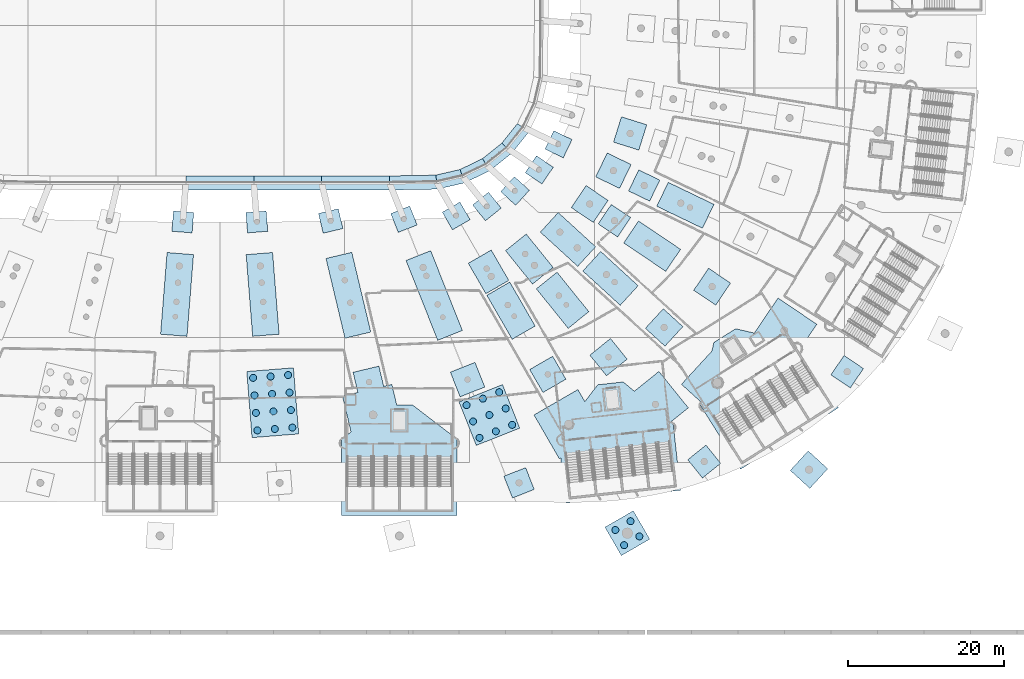
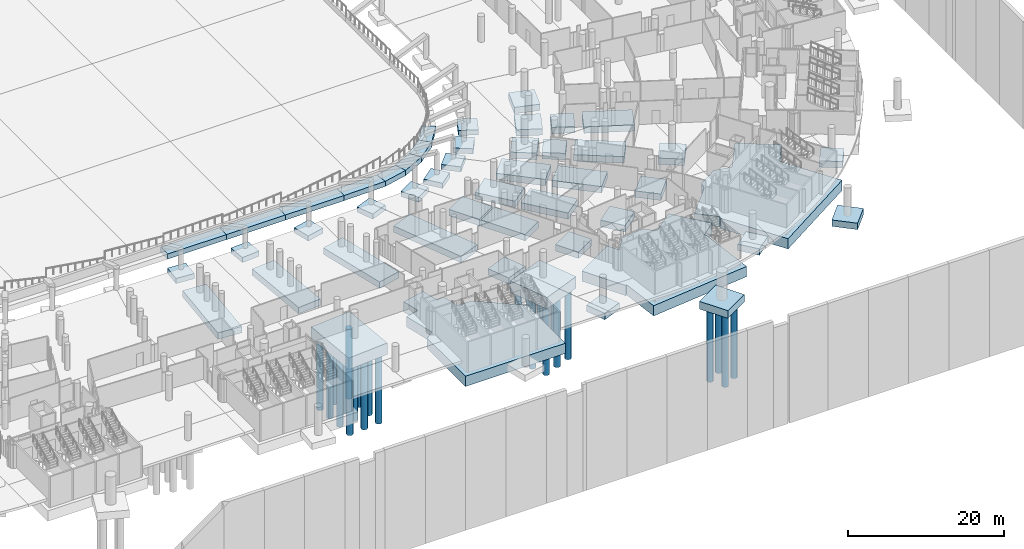
# One storey, part 3 of 142: 49 footings, 25 piles.
"""IFC4 building model written with IfcOpenShell, lengths in metres."""

import ifcopenshell
import ifcopenshell.guid

model = None  # the IFC model being written
_history = None  # IfcOwnerHistory: only IFC2X3 demands one
_inside = {}  # id of a spatial element -> (the spatial element, [elements in it])
_under = {}  # id of a project, library or spatial element -> (it, [spatial elements below it])
_declared = {}  # id of a project -> (the project, [libraries it declares])
_typed = {}  # id of a type object -> (the type object, [elements of that type])
_made_of = {}  # id of a material, layer set ... -> (it, [elements and type objects made of it])


def new_model(schema):
    """Start an empty IFC model of exactly this schema.

    Asked for "IFC4X3", IfcOpenShell would pick the latest addendum, in which some entities
    have other attributes; the version numbers below select the first issue.
    IFC2X3 requires an IfcOwnerHistory on every rooted entity: one is made here for all.
    """
    global model, _history
    if schema == "IFC4X3":
        model = ifcopenshell.file(schema_version=(4, 3, 0, 0))
    else:
        model = ifcopenshell.file(schema=schema)
    _inside.clear()
    _under.clear()
    _declared.clear()
    _typed.clear()
    _made_of.clear()
    _history = None
    if model.schema == "IFC2X3":
        org = make("IfcOrganization", Name="unknown")
        user = make(
            "IfcPersonAndOrganization",
            ThePerson=make("IfcPerson", FamilyName="unknown"),
            TheOrganization=org,
        )
        app = make(
            "IfcApplication",
            ApplicationDeveloper=org,
            Version="unknown",
            ApplicationFullName="unknown",
            ApplicationIdentifier="unknown",
        )
        _history = make(
            "IfcOwnerHistory",
            OwningUser=user,
            OwningApplication=app,
            ChangeAction="ADDED",
            CreationDate=0,
        )
    return model


def make(cls, **values):
    """One entity of the class cls with the attributes given. An attribute that is None is left unset."""
    return model.create_entity(
        cls, **{name: value for name, value in values.items() if value is not None}
    )


def rooted(cls, **values):
    """An entity with a GlobalId (a new one), such as an element, a storey or a relation."""
    return make(cls, GlobalId=ifcopenshell.guid.new(), OwnerHistory=_history, **values)


def si_unit(unit_type, name, prefix=None):
    """IfcSIUnit, for example si_unit("LENGTHUNIT", "METRE", prefix="MILLI")."""
    return make("IfcSIUnit", UnitType=unit_type, Prefix=prefix, Name=name)


def assignment(units):
    """IfcUnitAssignment: the units of a project."""
    return None if units is None else make("IfcUnitAssignment", Units=units)


def point(xyz):
    """IfcCartesianPoint."""
    return None if xyz is None else make("IfcCartesianPoint", Coordinates=xyz)


def direction(xyz):
    """IfcDirection."""
    return None if xyz is None else make("IfcDirection", DirectionRatios=xyz)


def frame(location, z_axis=None, x_axis=None):
    """IfcAxis2Placement3D, a coordinate frame: its origin and axes. An axis left out is left unset."""
    return make(
        "IfcAxis2Placement3D",
        Location=point(location),
        Axis=direction(z_axis),
        RefDirection=direction(x_axis),
    )


def frame_2d(location, x_axis=None):
    """IfcAxis2Placement2D, a coordinate frame in the plane: its origin and x axis."""
    return make(
        "IfcAxis2Placement2D", Location=point(location), RefDirection=direction(x_axis)
    )


def origin():
    """The frame at (0, 0, 0) with its axes left unset."""
    return frame((0.0, 0.0, 0.0))


def origin_2d():
    """The frame at (0, 0) in the plane with its x axis left unset."""
    return frame_2d((0.0, 0.0))


def place(relative_to, where):
    """IfcLocalPlacement: puts the frame where relative to a parent placement (None: the world)."""
    return make(
        "IfcLocalPlacement", PlacementRelTo=relative_to, RelativePlacement=where
    )


def context(
    kind, dimensions, precision=None, world=None, true_north=None, identifier=None
):
    """IfcGeometricRepresentationContext, for example the 3D "Model" context."""
    return make(
        "IfcGeometricRepresentationContext",
        ContextIdentifier=identifier,
        ContextType=kind,
        CoordinateSpaceDimension=dimensions,
        Precision=precision,
        WorldCoordinateSystem=world,
        TrueNorth=true_north,
    )


def subcontext(parent, identifier, kind, view, scale=None):
    """IfcGeometricRepresentationSubContext, for example "Body" below "Model"."""
    return make(
        "IfcGeometricRepresentationSubContext",
        ContextIdentifier=identifier,
        ContextType=kind,
        ParentContext=parent,
        TargetScale=scale,
        TargetView=view,
    )


def project(units=None, contexts=None):
    """IfcProject with its units and contexts."""
    return rooted(
        "IfcProject",
        Name="project",
        RepresentationContexts=contexts,
        UnitsInContext=assignment(units),
    )


def spatial(cls, under=None, at=None, **own):
    """A site, building, storey or space (cls), placed at a placement, below another one or the project."""
    s = rooted(cls, ObjectPlacement=at, **own)
    if under is not None:
        _under.setdefault(under.id(), (under, []))[1].append(s)
    return s


def polyline(points):
    """IfcPolyline through the points."""
    return make("IfcPolyline", Points=[point(p) for p in points])


def profile(cls, at=None, kind="AREA", **sizes):
    """A parametric profile (cls). Its sizes go by their IFC names, for example OverallWidth=200.0."""
    return make(cls, ProfileType=kind, Position=at, **sizes)


def circle(**sizes):
    """IfcCircleProfileDef."""
    return profile("IfcCircleProfileDef", **sizes)


def outline(outer, holes=None, kind="AREA"):
    """IfcArbitraryClosedProfileDef: a profile drawn as a closed curve; with holes, ...WithVoids."""
    if holes is None:
        return make("IfcArbitraryClosedProfileDef", ProfileType=kind, OuterCurve=outer)
    return make(
        "IfcArbitraryProfileDefWithVoids",
        ProfileType=kind,
        OuterCurve=outer,
        InnerCurves=holes,
    )


def extrude(swept, where, along, depth):
    """IfcExtrudedAreaSolid: the profile swept, set in the frame where, extruded along a direction by depth."""
    return make(
        "IfcExtrudedAreaSolid",
        SweptArea=swept,
        Position=where,
        ExtrudedDirection=direction(along),
        Depth=depth,
    )


def shape(context_of_items, identifier, shape_type, items):
    """IfcShapeRepresentation: the items that make up one representation, for example the "Body"."""
    return make(
        "IfcShapeRepresentation",
        ContextOfItems=context_of_items,
        RepresentationIdentifier=identifier,
        RepresentationType=shape_type,
        Items=items,
    )


def material(Name=None, Category=None):
    """IfcMaterial."""
    return make("IfcMaterial", Name=Name, Category=Category)


def material_profile(
    of_material, cross_section, Name=None, Category=None, Priority=None
):
    """IfcMaterialProfile: a cross section and its material."""
    return make(
        "IfcMaterialProfile",
        Name=Name,
        Material=of_material,
        Profile=cross_section,
        Priority=Priority,
        Category=Category,
    )


def profile_set(profiles, Name=None, composite=None):
    """IfcMaterialProfileSet."""
    return make(
        "IfcMaterialProfileSet",
        Name=Name,
        MaterialProfiles=profiles,
        CompositeProfile=composite,
    )


def made_of(thing, what):
    """Note that an element or type object is made of a material, layer set ...; save() writes the relation."""
    if what is not None:
        _made_of.setdefault(what.id(), (what, []))[1].append(thing)
    return thing


def type_object(cls, material=None, **own):
    """A type object (cls), such as IfcWallType, which elements share."""
    return made_of(rooted(cls, **own), material)


def element(
    cls,
    number,
    at=None,
    inside=None,
    cuts=None,
    type_object=None,
    material=None,
    context=None,
    identifier="Body",
    shape_type=None,
    held_by="IfcProductDefinitionShape",
    body=None,
    shapes=None,
    **own,
):
    """One element of the class cls, such as IfcWall. Its Tag is "e" and its number.

    at: its placement. inside: the storey or other place that contains it. cuts: it is an
    opening in that element (IfcRelVoidsElement). A single representation is given by context,
    identifier, shape_type and body (its items); several are given by shapes. held_by: the class
    of the entity that holds the representations. save() writes the other relations.
    """
    e = rooted(cls, Tag="e%d" % number, ObjectPlacement=at, **own)
    if body is not None:
        shapes = [shape(context, identifier, shape_type, body)]
    if shapes is not None:
        e.Representation = make(held_by, Representations=shapes)
    if inside is not None:
        _inside.setdefault(inside.id(), (inside, []))[1].append(e)
    if cuts is not None:
        rooted(
            "IfcRelVoidsElement", RelatingBuildingElement=cuts, RelatedOpeningElement=e
        )
    if type_object is not None:
        _typed.setdefault(type_object.id(), (type_object, []))[1].append(e)
    return made_of(e, material)


def aggregate(whole, parts):
    """IfcRelAggregates: a whole, such as a stair, and the parts it consists of."""
    return rooted("IfcRelAggregates", RelatingObject=whole, RelatedObjects=parts)


def save(model, path):
    """Write the relations noted so far, then the file.

    IfcRelAggregates (storeys below a building ...), IfcRelContainedInSpatialStructure (elements
    in a storey), IfcRelDefinesByType, IfcRelAssociatesMaterial and IfcRelDeclares: one each for
    every whole, place, type object, material and project.
    """
    for whole, parts in _under.values():
        aggregate(whole, parts)
    for where, things in _inside.values():
        rooted(
            "IfcRelContainedInSpatialStructure",
            RelatedElements=things,
            RelatingStructure=where,
        )
    for kind, things in _typed.values():
        rooted("IfcRelDefinesByType", RelatedObjects=things, RelatingType=kind)
    for what, things in _made_of.values():
        rooted("IfcRelAssociatesMaterial", RelatedObjects=things, RelatingMaterial=what)
    for by, libraries in _declared.values():
        rooted("IfcRelDeclares", RelatingContext=by, RelatedDefinitions=libraries)
    model.write(path)


model = new_model("IFC4")

# Units and contexts
model_context = context("Model", 3, precision=1e-05, world=origin(), true_north=direction((0.0, 1.0)))
body_context = subcontext(model_context, "Body", "Model", "MODEL_VIEW")
ifc_project = project(units=[si_unit("LENGTHUNIT", "METRE"), si_unit("AREAUNIT", "SQUARE_METRE"), si_unit("VOLUMEUNIT", "CUBIC_METRE"), si_unit("PLANEANGLEUNIT", "RADIAN"), si_unit("MASSUNIT", "GRAM", prefix="KILO")], contexts=[model_context])

# Site, building, storey
site_placement = place(None, origin())
site = spatial("IfcSite", under=ifc_project, at=site_placement, CompositionType="ELEMENT")
building_placement = place(site_placement, origin())
building = spatial("IfcBuilding", under=site, at=building_placement, Name="Meseta Stadium", CompositionType="ELEMENT")
storey_placement = place(building_placement, frame((0.0, 0.0, -4.0)))
storey = spatial("IfcBuildingStorey", under=building, at=storey_placement, Name="B1", CompositionType="ELEMENT", Elevation=-4.0)

# Piles
ifc_material_1 = material(Name="Concrete C30/37", Category="concrete")
ifc_material_profile_1 = material_profile(ifc_material_1, circle(Radius=0.449951171875, at=origin_2d()), Name="D900")
ifc_profile_set_1 = profile_set([ifc_material_profile_1], Name="Concrete C30/37")
pile_type_1 = type_object("IfcPileType", Name="Bored pile D900 A", PredefinedType="BORED", material=ifc_profile_set_1)
for number, where, z_axis, x_axis, name in (
    (1, (4.26708984375, -85.151123046875, -2.10009765625), (0.0, 0.0, -1.0), (1.0, 0.0, 0.0), "Bored pile BP9A 47-EP-01"),
    (2, (6.510009765625, -84.97314453125, -2.10009765625), (0.0, 0.0, -1.0), (1.0, 0.0, 0.0), "Bored pile BP9A 47-EP-02"),
    (3, (8.7529296875, -84.795166015625, -2.10009765625), (0.0, 0.0, -1.0), (1.0, 0.0, 0.0), "Bored pile BP9A 47-EP-03"),
    (4, (4.445068359375, -87.39404296875, -2.10009765625), (0.0, 0.0, -1.0), (1.0, 0.0, 0.0), "Bored pile BP9A 47-EP-04"),
    (5, (6.68798828125, -87.216064453125, -2.10009765625), (0.0, 0.0, -1.0), (1.0, 0.0, 0.0), "Bored pile BP9A 47-EP-05"),
    (6, (8.930908203125, -87.0380859375, -2.10009765625), (0.0, 0.0, -1.0), (1.0, 0.0, 0.0), "Bored pile BP9A 47-EP-06"),
    (7, (4.623046875, -89.63720703125, -2.10009765625), (0.0, 0.0, -1.0), (1.0, 0.0, 0.0), "Bored pile BP9A 47-EP-07"),
    (8, (6.8662109375, -89.458984375, -2.10009765625), (0.0, 0.0, -1.0), (1.0, 0.0, 0.0), "Bored pile BP9A 47-EP-08"),
    (9, (9.10888671875, -89.281005859375, -2.10009765625), (0.0, 0.0, -1.0), (1.0, 0.0, 0.0), "Bored pile BP9A 47-EP-09"),
    (10, (4.801025390625, -91.8798828125, -2.10009765625), (0.0, 0.0, -1.0), (1.0, 0.0, 0.0), "Bored pile BP9A 47-EP-10"),
    (11, (7.044189453125, -91.701904296875, -2.10009765625), (0.0, 0.0, -1.0), (1.0, 0.0, 0.0), "Bored pile BP9A 47-EP-11"),
    (12, (9.287109375, -91.52392578125, -2.10009765625), (0.0, 0.0, -1.0), (1.0, 0.0, 0.0), "Bored pile BP9A 47-EP-12"),
    (13, (31.609375, -88.650390625, -2.10009765625), (0.0, 0.0, -1.0), (1.0, 0.0, 0.0), "Bored pile BP9A 49-P-01"),
    (14, (33.70068359375, -87.820556640625, -2.10009765625), (0.0, 0.0, -1.0), (1.0, 0.0, 0.0), "Bored pile BP9A 49-P-02"),
    (15, (35.7919921875, -86.990478515625, -2.10009765625), (0.0, 0.0, -1.0), (1.0, 0.0, 0.0), "Bored pile BP9A 49-P-03"),
    (16, (32.439453125, -90.74169921875, -2.10009765625), (0.0, 0.0, -1.0), (1.0, 0.0, 0.0), "Bored pile BP9A 49-P-04"),
    (17, (34.53076171875, -89.911865234375, -2.10009765625), (0.0, 0.0, -1.0), (1.0, 0.0, 0.0), "Bored pile BP9A 49-P-05"),
    (18, (36.6220703125, -89.08203125, -2.10009765625), (0.0, 0.0, -1.0), (1.0, 0.0, 0.0), "Bored pile BP9A 49-P-06"),
    (19, (33.269287109375, -92.833251953125, -2.10009765625), (0.0, 0.0, -1.0), (1.0, 0.0, 0.0), "Bored pile BP9A 49-P-07"),
    (20, (35.360595703125, -92.003173828125, -2.10009765625), (0.0, 0.0, -1.0), (1.0, 0.0, 0.0), "Bored pile BP9A 49-P-08"),
    (21, (37.451904296875, -91.17333984375, -2.10009765625), (0.0, 0.0, -1.0), (1.0, 0.0, 0.0), "Bored pile BP9A 49-P-09"),
):
    element("IfcPile", number, at=place(storey_placement, frame(where, z_axis=z_axis, x_axis=x_axis)), inside=storey, type_object=pile_type_1, Name=name, PredefinedType="BORED", context=body_context, shape_type="SweptSolid", body=[
        extrude(circle(Radius=0.449951171875, at=origin_2d()), origin(), (0.0, 0.0, 1.0), 10.89990234375),
    ])
ifc_material_2 = material(Name="Concrete C30/37", Category="concrete")
ifc_material_profile_2 = material_profile(ifc_material_2, circle(Radius=0.449951171875, at=origin_2d()), Name="D900")
ifc_profile_set_2 = profile_set([ifc_material_profile_2], Name="Concrete C30/37")
pile_type_2 = type_object("IfcPileType", Name="Bored pile D900 B", PredefinedType="BORED", material=ifc_profile_set_2)
for number, where, z_axis, x_axis, name in (
    (22, (50.666015625, -104.640625, -1.5), (0.0, 0.0, -1.0), (1.0, 0.0, 0.0), "Bored pile BP9B 50-R-01"),
    (23, (52.61376953125, -103.5146484375, -1.5), (0.0, 0.0, -1.0), (1.0, 0.0, 0.0), "Bored pile BP9B 50-R-02"),
    (24, (51.791748046875, -106.588623046875, -1.5), (0.0, 0.0, -1.0), (1.0, 0.0, 0.0), "Bored pile BP9B 50-R-03"),
    (25, (53.73974609375, -105.462646484375, -1.5), (0.0, 0.0, -1.0), (1.0, 0.0, 0.0), "Bored pile BP9B 50-R-04"),
):
    element("IfcPile", number, at=place(storey_placement, frame(where, z_axis=z_axis, x_axis=x_axis)), inside=storey, type_object=pile_type_2, Name=name, PredefinedType="BORED", context=body_context, shape_type="SweptSolid", body=[
        extrude(circle(Radius=0.449951171875, at=origin_2d()), origin(), (0.0, 0.0, 1.0), 11.5),
    ])

# Footings
ifc_material_3 = material(Name="Concrete C30/37", Category="concrete")
footing_type_1 = type_object("IfcFootingType", Name="Combined footing 10500x3400", PredefinedType="PAD_FOOTING", material=ifc_material_3)
footing_1_placement = place(storey_placement, frame((0.0, 0.0, -1.39990234375)))
element("IfcFooting", 26, at=footing_1_placement, inside=storey, type_object=footing_type_1, Name="Footing F105.34 46-BCDU", PredefinedType="PAD_FOOTING", context=body_context, shape_type="SweptSolid", body=[
    extrude(outline(polyline([(-6.760498046875, -69.095947265625), (-7.59130859375, -79.56298828125), (-4.201904296875, -79.83203125), (-3.37109375, -69.364990234375), (-6.760498046875, -69.095947265625)])), origin(), (0.0, 0.0, 1.0), 1.0),
])
footing_2_placement = place(storey_placement, frame((0.0, 0.0, -1.39990234375)))
element("IfcFooting", 27, at=footing_2_placement, inside=storey, type_object=footing_type_1, Name="Footing F105.34 47-BCDU", PredefinedType="PAD_FOOTING", context=body_context, shape_type="SweptSolid", body=[
    extrude(outline(polyline([(3.37109375, -69.364990234375), (4.201904296875, -79.83203125), (7.59130859375, -79.56298828125), (6.760498046875, -69.095947265625), (3.37109375, -69.364990234375)])), origin(), (0.0, 0.0, 1.0), 1.0),
])
footing_3_placement = place(storey_placement, frame((0.0, 0.0, -1.39990234375)))
element("IfcFooting", 28, at=footing_3_placement, inside=storey, type_object=footing_type_1, Name="Footing F105.34 48-BCDU", PredefinedType="PAD_FOOTING", context=body_context, shape_type="SweptSolid", body=[
    extrude(outline(polyline([(13.599609375, -69.857421875), (16.031494140625, -80.072021484375), (19.339111328125, -79.284423828125), (16.906982421875, -69.070068359375), (13.599609375, -69.857421875)])), origin(), (0.0, 0.0, 1.0), 1.0),
])
ifc_material_4 = material(Name="Concrete C30/37", Category="concrete")
footing_type_2 = type_object("IfcFootingType", Name="Combined footing 11000x3400", PredefinedType="PAD_FOOTING", material=ifc_material_4)
footing_4_placement = place(storey_placement, frame((0.0, 0.0, -1.39990234375)))
element("IfcFooting", 29, at=footing_4_placement, inside=storey, type_object=footing_type_2, Name="Footing F110.34 49-BCDU", PredefinedType="PAD_FOOTING", context=body_context, shape_type="SweptSolid", body=[
    extrude(outline(polyline([(23.8515625, -70.114990234375), (27.908935546875, -80.339599609375), (31.069091796875, -79.08544921875), (27.011962890625, -68.861083984375), (23.8515625, -70.114990234375)])), origin(), (0.0, 0.0, 1.0), 1.0),
])
ifc_material_5 = material(Name="Concrete C30/37", Category="concrete")
footing_type_3 = type_object("IfcFootingType", Name="Combined footing 4500x3400", PredefinedType="PAD_FOOTING", material=ifc_material_5)
footing_5_placement = place(storey_placement, frame((0.0, 0.0, -1.39990234375)))
element("IfcFooting", 30, at=footing_5_placement, inside=storey, type_object=footing_type_3, Name="Footing F45.34 50-BU", PredefinedType="PAD_FOOTING", context=body_context, shape_type="SweptSolid", body=[
    extrude(outline(polyline([(31.8251953125, -70.474609375), (34.0771484375, -74.37060546875), (37.020751953125, -72.669189453125), (34.768798828125, -68.773193359375), (31.8251953125, -70.474609375)])), origin(), (0.0, 0.0, 1.0), 1.0),
])
ifc_material_6 = material(Name="Concrete C30/37", Category="concrete")
footing_type_4 = type_object("IfcFootingType", Name="Combined footing 5500x3400", PredefinedType="PAD_FOOTING", material=ifc_material_6)
footing_6_placement = place(storey_placement, frame((0.0, 0.0, -1.39990234375)))
element("IfcFooting", 31, at=footing_6_placement, inside=storey, type_object=footing_type_4, Name="Footing F55.34 51-BU", PredefinedType="PAD_FOOTING", context=body_context, shape_type="SweptSolid", body=[
    extrude(outline(polyline([(36.600341796875, -68.861328125), (40.0546875, -73.141357421875), (42.700439453125, -71.006103515625), (39.24609375, -66.725830078125), (36.600341796875, -68.861328125)])), origin(), (0.0, 0.0, 1.0), 1.0),
])
ifc_material_7 = material(Name="Concrete C30/37", Category="concrete")
footing_type_5 = type_object("IfcFootingType", Name="Combined footing 6500x3400", PredefinedType="PAD_FOOTING", material=ifc_material_7)
footing_7_placement = place(storey_placement, frame((0.0, 0.0, -1.39990234375)))
element("IfcFooting", 32, at=footing_7_placement, inside=storey, type_object=footing_type_5, Name="Footing F65.34 50-CD", PredefinedType="PAD_FOOTING", context=body_context, shape_type="SweptSolid", body=[
    extrude(outline(polyline([(34.20068359375, -74.584228515625), (37.453369140625, -80.2119140625), (40.39697265625, -78.51025390625), (37.144287109375, -72.8828125), (34.20068359375, -74.584228515625)])), origin(), (0.0, 0.0, 1.0), 1.0),
])
footing_8_placement = place(storey_placement, frame((0.0, 0.0, -1.39990234375)))
element("IfcFooting", 33, at=footing_8_placement, inside=storey, type_object=footing_type_5, Name="Footing F65.34 51-CD", PredefinedType="PAD_FOOTING", context=body_context, shape_type="SweptSolid", body=[
    extrude(outline(polyline([(40.54638671875, -73.75048828125), (44.62841796875, -78.80859375), (47.2744140625, -76.67333984375), (43.192138671875, -71.615234375), (40.54638671875, -73.75048828125)])), origin(), (0.0, 0.0, 1.0), 1.0),
])
footing_9_placement = place(storey_placement, frame((0.0, 0.0, -1.39990234375)))
element("IfcFooting", 34, at=footing_9_placement, inside=storey, type_object=footing_type_5, Name="Footing F65.34 52-BU", PredefinedType="PAD_FOOTING", context=body_context, shape_type="SweptSolid", body=[
    extrude(outline(polyline([(41.054443359375, -66.481201171875), (45.848876953125, -70.8701171875), (48.14453125, -68.3623046875), (43.35009765625, -63.973388671875), (41.054443359375, -66.481201171875)])), origin(), (0.0, 0.0, 1.0), 1.0),
])
footing_10_placement = place(storey_placement, frame((0.0, 0.0, -1.39990234375)))
element("IfcFooting", 35, at=footing_10_placement, inside=storey, type_object=footing_type_5, Name="Footing F65.34 52-CD", PredefinedType="PAD_FOOTING", context=body_context, shape_type="SweptSolid", body=[
    extrude(outline(polyline([(46.499755859375, -71.466064453125), (51.294189453125, -75.85498046875), (53.590087890625, -73.34716796875), (48.795654296875, -68.958251953125), (46.499755859375, -71.466064453125)])), origin(), (0.0, 0.0, 1.0), 1.0),
])
footing_11_placement = place(storey_placement, frame((0.0, 0.0, -1.39990234375)))
element("IfcFooting", 36, at=footing_11_placement, inside=storey, type_object=footing_type_5, Name="Footing F65.34 53-CD", PredefinedType="PAD_FOOTING", context=body_context, shape_type="SweptSolid", body=[
    extrude(outline(polyline([(51.735107421875, -67.870361328125), (57.12255859375, -71.507080078125), (59.02490234375, -68.689208984375), (53.637451171875, -65.052490234375), (51.735107421875, -67.870361328125)])), origin(), (0.0, 0.0, 1.0), 1.0),
])
footing_12_placement = place(storey_placement, frame((0.0, 0.0, -1.39990234375)))
element("IfcFooting", 37, at=footing_12_placement, inside=storey, type_object=footing_type_5, Name="Footing F65.34 54-CD", PredefinedType="PAD_FOOTING", context=body_context, shape_type="SweptSolid", body=[
    extrude(outline(polyline([(55.969970703125, -63.171875), (61.82763671875, -65.989013671875), (63.30126953125, -62.925048828125), (57.443359375, -60.10791015625), (55.969970703125, -63.171875)])), origin(), (0.0, 0.0, 1.0), 1.0),
])
ifc_material_8 = material(Name="Concrete C30/37", Category="concrete")
footing_type_6 = type_object("IfcFootingType", Name="Pad footing 2600", PredefinedType="PAD_FOOTING", material=ifc_material_8)
footing_13_placement = place(storey_placement, frame((0.0, 0.0, -1.199951171875)))
element("IfcFooting", 38, at=footing_13_placement, inside=storey, type_object=footing_type_6, Name="Footing F26 46-A", PredefinedType="PAD_FOOTING", context=body_context, shape_type="SweptSolid", body=[
    extrude(outline(polyline([(-5.937744140625, -63.784912109375), (-6.1435546875, -66.376708984375), (-3.5517578125, -66.58251953125), (-3.345947265625, -63.990478515625), (-5.937744140625, -63.784912109375)])), origin(), (0.0, 0.0, 1.0), 0.800048828125),
])
footing_14_placement = place(storey_placement, frame((0.0, 0.0, -1.199951171875)))
element("IfcFooting", 39, at=footing_14_placement, inside=storey, type_object=footing_type_6, Name="Footing F26 47-A", PredefinedType="PAD_FOOTING", context=body_context, shape_type="SweptSolid", body=[
    extrude(outline(polyline([(3.345947265625, -63.990478515625), (3.5517578125, -66.58251953125), (6.1435546875, -66.376708984375), (5.937744140625, -63.784912109375), (3.345947265625, -63.990478515625)])), origin(), (0.0, 0.0, 1.0), 0.800048828125),
])
footing_15_placement = place(storey_placement, frame((0.0, 0.0, -1.199951171875)))
element("IfcFooting", 40, at=footing_15_placement, inside=storey, type_object=footing_type_6, Name="Footing F26 48-A", PredefinedType="PAD_FOOTING", context=body_context, shape_type="SweptSolid", body=[
    extrude(outline(polyline([(12.638671875, -64.09521484375), (13.240966796875, -66.624267578125), (15.770263671875, -66.022216796875), (15.16796875, -63.492919921875), (12.638671875, -64.09521484375)])), origin(), (0.0, 0.0, 1.0), 0.800048828125),
])
footing_16_placement = place(storey_placement, frame((0.0, 0.0, -1.199951171875)))
element("IfcFooting", 41, at=footing_16_placement, inside=storey, type_object=footing_type_6, Name="Footing F26 49-A", PredefinedType="PAD_FOOTING", context=body_context, shape_type="SweptSolid", body=[
    extrude(outline(polyline([(21.896728515625, -64.1044921875), (22.855712890625, -66.521240234375), (25.2724609375, -65.562255859375), (24.3134765625, -63.1455078125), (21.896728515625, -64.1044921875)])), origin(), (0.0, 0.0, 1.0), 0.800048828125),
])
footing_17_placement = place(storey_placement, frame((0.0, 0.0, -1.199951171875)))
element("IfcFooting", 42, at=footing_17_placement, inside=storey, type_object=footing_type_6, Name="Footing F26 50-A", PredefinedType="PAD_FOOTING", context=body_context, shape_type="SweptSolid", body=[
    extrude(outline(polyline([(28.505615234375, -63.932861328125), (29.806884765625, -66.183837890625), (32.057861328125, -64.882568359375), (30.756591796875, -62.631591796875), (28.505615234375, -63.932861328125)])), origin(), (0.0, 0.0, 1.0), 0.800048828125),
])
footing_18_placement = place(storey_placement, frame((0.0, 0.0, -1.199951171875)))
element("IfcFooting", 43, at=footing_18_placement, inside=storey, type_object=footing_type_6, Name="Footing F26 51-A", PredefinedType="PAD_FOOTING", context=body_context, shape_type="SweptSolid", body=[
    extrude(outline(polyline([(32.391845703125, -63.009521484375), (34.02490234375, -65.032958984375), (36.048095703125, -63.39990234375), (34.415283203125, -61.376708984375), (32.391845703125, -63.009521484375)])), origin(), (0.0, 0.0, 1.0), 0.800048828125),
])
footing_19_placement = place(storey_placement, frame((0.0, 0.0, -1.199951171875)))
element("IfcFooting", 44, at=footing_19_placement, inside=storey, type_object=footing_type_6, Name="Footing F26 52-A", PredefinedType="PAD_FOOTING", context=body_context, shape_type="SweptSolid", body=[
    extrude(outline(polyline([(35.9794921875, -61.293212890625), (37.897216796875, -63.048583984375), (39.652587890625, -61.130859375), (37.735107421875, -59.37548828125), (35.9794921875, -61.293212890625)])), origin(), (0.0, 0.0, 1.0), 0.800048828125),
])
footing_20_placement = place(storey_placement, frame((0.0, 0.0, -1.199951171875)))
element("IfcFooting", 45, at=footing_20_placement, inside=storey, type_object=footing_type_6, Name="Footing F26 53-A", PredefinedType="PAD_FOOTING", context=body_context, shape_type="SweptSolid", body=[
    extrude(outline(polyline([(39.11181640625, -58.8662109375), (41.2666015625, -60.32080078125), (42.72119140625, -58.166015625), (40.56640625, -56.711181640625), (39.11181640625, -58.8662109375)])), origin(), (0.0, 0.0, 1.0), 0.800048828125),
])
footing_21_placement = place(storey_placement, frame((0.0, 0.0, -1.199951171875)))
element("IfcFooting", 46, at=footing_21_placement, inside=storey, type_object=footing_type_6, Name="Footing F26 54-A", PredefinedType="PAD_FOOTING", context=body_context, shape_type="SweptSolid", body=[
    extrude(outline(polyline([(41.652099609375, -55.84228515625), (43.9951171875, -56.96923828125), (45.1220703125, -54.626220703125), (42.779052734375, -53.499267578125), (41.652099609375, -55.84228515625)])), origin(), (0.0, 0.0, 1.0), 0.800048828125),
])
ifc_material_9 = material(Name="Concrete C30/37", Category="concrete")
footing_type_7 = type_object("IfcFootingType", Name="Pad footing 3000", PredefinedType="PAD_FOOTING", material=ifc_material_9)
footing_22_placement = place(storey_placement, frame((0.0, 0.0, -1.39990234375)))
element("IfcFooting", 47, at=footing_22_placement, inside=storey, type_object=footing_type_7, Name="Footing F30 49-R", PredefinedType="PAD_FOOTING", context=body_context, shape_type="SweptSolid", body=[
    extrude(outline(polyline([(36.3857421875, -97.759033203125), (37.492431640625, -100.547607421875), (40.28076171875, -99.44091796875), (39.17431640625, -96.652587890625), (36.3857421875, -97.759033203125)])), origin(), (0.0, 0.0, 1.0), 1.0),
])
footing_23_placement = place(storey_placement, frame((0.0, 0.0, -1.39990234375)))
element("IfcFooting", 48, at=footing_23_placement, inside=storey, type_object=footing_type_7, Name="Footing F30 51-R", PredefinedType="PAD_FOOTING", context=body_context, shape_type="SweptSolid", body=[
    extrude(outline(polyline([(59.942138671875, -95.6474609375), (61.826416015625, -97.982177734375), (64.160888671875, -96.097900390625), (62.27685546875, -93.763427734375), (59.942138671875, -95.6474609375)])), origin(), (0.0, 0.0, 1.0), 1.0),
])
footing_24_placement = place(storey_placement, frame((0.0, 0.0, -1.39990234375)))
element("IfcFooting", 49, at=footing_24_placement, inside=storey, type_object=footing_type_7, Name="Footing F30 53-R", PredefinedType="PAD_FOOTING", context=body_context, shape_type="SweptSolid", body=[
    extrude(outline(polyline([(78.282958984375, -84.769287109375), (80.769287109375, -86.447998046875), (82.447998046875, -83.96142578125), (79.96142578125, -82.282958984375), (78.282958984375, -84.769287109375)])), origin(), (0.0, 0.0, 1.0), 1.0),
])
footing_25_placement = place(storey_placement, frame((0.0, 0.0, -1.39990234375)))
element("IfcFooting", 50, at=footing_25_placement, inside=storey, type_object=footing_type_7, Name="Footing F30 53-U", PredefinedType="PAD_FOOTING", context=body_context, shape_type="SweptSolid", body=[
    extrude(outline(polyline([(48.470458984375, -65.42529296875), (50.956787109375, -67.103759765625), (52.635498046875, -64.6171875), (50.14892578125, -62.938720703125), (48.470458984375, -65.42529296875)])), origin(), (0.0, 0.0, 1.0), 1.0),
])
footing_26_placement = place(storey_placement, frame((0.0, 0.0, -1.39990234375)))
element("IfcFooting", 51, at=footing_26_placement, inside=storey, type_object=footing_type_7, Name="Footing F30 54-U", PredefinedType="PAD_FOOTING", context=body_context, shape_type="SweptSolid", body=[
    extrude(outline(polyline([(52.3623046875, -61.215087890625), (55.06591796875, -62.515380859375), (56.3662109375, -59.811767578125), (53.66259765625, -58.511474609375), (52.3623046875, -61.215087890625)])), origin(), (0.0, 0.0, 1.0), 1.0),
])
ifc_material_10 = material(Name="Concrete C30/37", Category="concrete")
footing_type_8 = type_object("IfcFootingType", Name="Pad footing 3400", PredefinedType="PAD_FOOTING", material=ifc_material_10)
footing_27_placement = place(storey_placement, frame((0.0, 0.0, -1.39990234375)))
element("IfcFooting", 52, at=footing_27_placement, inside=storey, type_object=footing_type_8, Name="Footing F34 49-E", PredefinedType="PAD_FOOTING", context=body_context, shape_type="SweptSolid", body=[
    extrude(outline(polyline([(29.52978515625, -84.423583984375), (30.78369140625, -87.583984375), (33.944091796875, -86.329833984375), (32.68994140625, -83.169677734375), (29.52978515625, -84.423583984375)])), origin(), (0.0, 0.0, 1.0), 1.0),
])
footing_28_placement = place(storey_placement, frame((0.0, 0.0, -1.39990234375)))
element("IfcFooting", 53, at=footing_28_placement, inside=storey, type_object=footing_type_8, Name="Footing F34 50-E", PredefinedType="PAD_FOOTING", context=body_context, shape_type="SweptSolid", body=[
    extrude(outline(polyline([(39.693115234375, -84.086181640625), (41.394287109375, -87.02978515625), (44.338134765625, -85.328369140625), (42.63671875, -82.384765625), (39.693115234375, -84.086181640625)])), origin(), (0.0, 0.0, 1.0), 1.0),
])
footing_29_placement = place(storey_placement, frame((0.0, 0.0, -1.39990234375)))
element("IfcFooting", 54, at=footing_29_placement, inside=storey, type_object=footing_type_8, Name="Footing F34 51-E", PredefinedType="PAD_FOOTING", context=body_context, shape_type="SweptSolid", body=[
    extrude(outline(polyline([(47.400634765625, -82.24365234375), (49.535888671875, -84.889404296875), (52.181640625, -82.754150390625), (50.04638671875, -80.108154296875), (47.400634765625, -82.24365234375)])), origin(), (0.0, 0.0, 1.0), 1.0),
])
footing_30_placement = place(storey_placement, frame((0.0, 0.0, -1.39990234375)))
element("IfcFooting", 55, at=footing_30_placement, inside=storey, type_object=footing_type_8, Name="Footing F34 52-E", PredefinedType="PAD_FOOTING", context=body_context, shape_type="SweptSolid", body=[
    extrude(outline(polyline([(54.51318359375, -78.8017578125), (57.02099609375, -81.097412109375), (59.31689453125, -78.589599609375), (56.80908203125, -76.2939453125), (54.51318359375, -78.8017578125)])), origin(), (0.0, 0.0, 1.0), 1.0),
])
footing_31_placement = place(storey_placement, frame((0.0, 0.0, -1.39990234375)))
element("IfcFooting", 56, at=footing_31_placement, inside=storey, type_object=footing_type_8, Name="Footing F34 52-R", PredefinedType="PAD_FOOTING", context=body_context, shape_type="SweptSolid", body=[
    extrude(outline(polyline([(73.07275390625, -97.0146484375), (75.58056640625, -99.310302734375), (77.87646484375, -96.802490234375), (75.368408203125, -94.506591796875), (73.07275390625, -97.0146484375)])), origin(), (0.0, 0.0, 1.0), 1.0),
])
footing_32_placement = place(storey_placement, frame((0.0, 0.0, -1.39990234375)))
element("IfcFooting", 57, at=footing_32_placement, inside=storey, type_object=footing_type_8, Name="Footing F34 53-B", PredefinedType="PAD_FOOTING", context=body_context, shape_type="SweptSolid", body=[
    extrude(outline(polyline([(45.02099609375, -63.338134765625), (47.839111328125, -65.240478515625), (49.741455078125, -62.42236328125), (46.923583984375, -60.52001953125), (45.02099609375, -63.338134765625)])), origin(), (0.0, 0.0, 1.0), 1.0),
])
footing_33_placement = place(storey_placement, frame((0.0, 0.0, -1.39990234375)))
element("IfcFooting", 58, at=footing_33_placement, inside=storey, type_object=footing_type_8, Name="Footing F34 53-E", PredefinedType="PAD_FOOTING", context=body_context, shape_type="SweptSolid", body=[
    extrude(outline(polyline([(60.7080078125, -73.927734375), (63.52587890625, -75.830078125), (65.42822265625, -73.011962890625), (62.6103515625, -71.109619140625), (60.7080078125, -73.927734375)])), origin(), (0.0, 0.0, 1.0), 1.0),
])
footing_34_placement = place(storey_placement, frame((0.0, 0.0, -1.39990234375)))
element("IfcFooting", 59, at=footing_34_placement, inside=storey, type_object=footing_type_8, Name="Footing F34 54-B", PredefinedType="PAD_FOOTING", context=body_context, shape_type="SweptSolid", body=[
    extrude(outline(polyline([(48.147705078125, -59.409912109375), (51.211669921875, -60.883544921875), (52.685302734375, -57.819580078125), (49.62109375, -56.345947265625), (48.147705078125, -59.409912109375)])), origin(), (0.0, 0.0, 1.0), 1.0),
])
footing_35_placement = place(storey_placement, frame((0.0, 0.0, -1.39990234375)))
element("IfcFooting", 60, at=footing_35_placement, inside=storey, type_object=footing_type_8, Name="Footing F34 55-B", PredefinedType="PAD_FOOTING", context=body_context, shape_type="SweptSolid", body=[
    extrude(outline(polyline([(50.43212890625, -54.95703125), (53.676513671875, -55.97412109375), (54.693603515625, -52.72998046875), (51.44921875, -51.712646484375), (50.43212890625, -54.95703125)])), origin(), (0.0, 0.0, 1.0), 1.0),
])
ifc_material_11 = material(Name="Concrete C30/37", Category="concrete")
footing_type_9 = type_object("IfcFootingType", Name="Pile cap 4200", PredefinedType="PILE_CAP", material=ifc_material_11)
footing_36_placement = place(storey_placement, frame((0.0, 0.0, -1.60009765625)))
element("IfcFooting", 61, at=footing_36_placement, inside=storey, type_object=footing_type_9, Name="Pile cap PC42 50-R", PredefinedType="PILE_CAP", context=body_context, shape_type="SweptSolid", body=[
    extrude(outline(polyline([(49.333740234375, -104.284423828125), (51.435546875, -107.920654296875), (55.072021484375, -105.81884765625), (52.969970703125, -102.1826171875), (49.333740234375, -104.284423828125)])), origin(), (0.0, 0.0, 1.0), 1.2001953125),
])
ifc_material_12 = material(Name="Concrete C30/37", Category="concrete")
footing_type_10 = type_object("IfcFootingType", Name="Pile cap 6000", PredefinedType="PILE_CAP", material=ifc_material_12)
footing_37_placement = place(storey_placement, frame((0.0, 0.0, -2.199951171875)))
element("IfcFooting", 62, at=footing_37_placement, inside=storey, type_object=footing_type_10, Name="Pile cap PC60 49-P", PredefinedType="PILE_CAP", context=body_context, shape_type="SweptSolid", body=[
    extrude(outline(polyline([(30.6357421875, -88.22998046875), (32.848876953125, -93.806884765625), (38.42578125, -91.59375), (36.212646484375, -86.016845703125), (30.6357421875, -88.22998046875)])), origin(), (0.0, 0.0, 1.0), 1.800048828125),
])
ifc_material_13 = material(Name="Concrete C30/37", Category="concrete")
footing_type_11 = type_object("IfcFootingType", Name="Pile cap 8500x6000", PredefinedType="PILE_CAP", material=ifc_material_13)
footing_38_placement = place(storey_placement, frame((0.0, 0.0, -2.199951171875)))
element("IfcFooting", 63, at=footing_38_placement, inside=storey, type_object=footing_type_11, Name="Pile cap PC85.60 47-EP", PredefinedType="PILE_CAP", context=body_context, shape_type="SweptSolid", body=[
    extrude(outline(polyline([(3.4501953125, -84.33837890625), (4.122802734375, -92.8115234375), (10.10400390625, -92.3369140625), (9.431396484375, -83.863525390625), (3.4501953125, -84.33837890625)])), origin(), (0.0, 0.0, 1.0), 1.800048828125),
])
ifc_material_14 = material(Name="Concrete C30/37", Category="concrete")
footing_type_12 = type_object("IfcFootingType", Name="Raft 18600x16000", PredefinedType="PAD_FOOTING", material=ifc_material_14)
footing_39_placement = place(storey_placement, frame((0.0, 0.0, -2.800048828125)))
element("IfcFooting", 64, at=footing_39_placement, inside=storey, type_object=footing_type_12, Name="Footing R186.160 52-CORE", PredefinedType="PAD_FOOTING", context=body_context, shape_type="SweptSolid", body=[
    extrude(outline(polyline([(66.708251953125, -96.865966796875), (79.23974609375, -88.991943359375), (74.4228515625, -81.32568359375), (76.47705078125, -78.283203125), (71.50390625, -74.926025390625), (68.47509765625, -79.41259765625), (66.0830078125, -78.860595703125), (63.288818359375, -80.6162109375), (63.041748046875, -81.7109375), (59.139404296875, -85.9736328125), (61.576416015625, -88.20458984375), (61.494384765625, -88.568115234375), (66.708251953125, -96.865966796875)])), origin(), (0.0, 0.0, 1.0), 1.60009765625),
])
ifc_material_15 = material(Name="Concrete C30/37", Category="concrete")
footing_type_13 = type_object("IfcFootingType", Name="Raft 19100x14800", PredefinedType="PAD_FOOTING", material=ifc_material_15)
footing_40_placement = place(storey_placement, frame((0.0, 0.0, -2.800048828125)))
element("IfcFooting", 65, at=footing_40_placement, inside=storey, type_object=footing_type_13, Name="Footing R191.148 48-CORE", PredefinedType="PAD_FOOTING", context=body_context, shape_type="SweptSolid", body=[
    extrude(outline(polyline([(15.60009765625, -102.800048828125), (30.39990234375, -102.800048828125), (30.39990234375, -93.0), (24.64990234375, -88.60009765625), (22.657958984375, -88.60009765625), (22.036376953125, -85.989501953125), (20.994384765625, -86.2373046875), (20.378662109375, -83.650634765625), (17.071044921875, -84.438232421875), (17.68701171875, -87.02490234375), (15.713134765625, -87.494873046875), (16.804443359375, -92.078369140625), (15.60009765625, -93.0), (15.60009765625, -102.800048828125)])), origin(), (0.0, 0.0, 1.0), 1.60009765625),
])
ifc_material_16 = material(Name="Concrete C30/37", Category="concrete")
footing_type_14 = type_object("IfcFootingType", Name="Raft 19500x15500", PredefinedType="PAD_FOOTING", material=ifc_material_16)
footing_41_placement = place(storey_placement, frame((0.0, 0.0, -2.800048828125)))
element("IfcFooting", 66, at=footing_41_placement, inside=storey, type_object=footing_type_14, Name="Footing R195.155 50-CORE", PredefinedType="PAD_FOOTING", context=body_context, shape_type="SweptSolid", body=[
    extrude(outline(polyline([(44.322998046875, -101.209716796875), (59.030029296875, -99.552734375), (58.067138671875, -91.006591796875), (57.79931640625, -90.782958984375), (60.018310546875, -88.9921875), (56.25, -84.322998046875), (53.103759765625, -86.8623046875), (51.679931640625, -85.67333984375), (48.400634765625, -86.042724609375), (46.762451171875, -88.19482421875), (45.869873046875, -86.650634765625), (40.2421875, -89.903564453125), (43.4951171875, -95.531005859375), (43.671875, -95.428955078125), (44.322998046875, -101.209716796875)])), origin(), (0.0, 0.0, 1.0), 1.60009765625),
])
ifc_material_17 = material(Name="Concrete C30/37", Category="concrete")
footing_type_15 = type_object("IfcFootingType", Name="Strip footing 1800", PredefinedType="STRIP_FOOTING", material=ifc_material_17)
footing_42_placement = place(storey_placement, frame((0.0, 0.0, -1.199951171875)))
element("IfcFooting", 67, at=footing_42_placement, inside=storey, type_object=footing_type_15, Name="Strip footing pitch wall bay 47", PredefinedType="STRIP_FOOTING", context=body_context, shape_type="SweptSolid", body=[
    extrude(outline(polyline([(-4.349365234375, -61.099365234375), (4.349365234375, -61.099365234375), (4.348876953125, -59.29931640625), (-4.348876953125, -59.29931640625), (-4.349365234375, -61.099365234375)])), origin(), (0.0, 0.0, 1.0), 0.800048828125),
])
footing_43_placement = place(storey_placement, frame((0.0, 0.0, -1.199951171875)))
element("IfcFooting", 68, at=footing_43_placement, inside=storey, type_object=footing_type_15, Name="Strip footing pitch wall bay 48", PredefinedType="STRIP_FOOTING", context=body_context, shape_type="SweptSolid", body=[
    extrude(outline(polyline([(4.349365234375, -61.099365234375), (13.047119140625, -61.094482421875), (13.045654296875, -59.294677734375), (4.348876953125, -59.29931640625), (4.349365234375, -61.099365234375)])), origin(), (0.0, 0.0, 1.0), 0.800048828125),
])
footing_44_placement = place(storey_placement, frame((0.0, 0.0, -1.199951171875)))
element("IfcFooting", 69, at=footing_44_placement, inside=storey, type_object=footing_type_15, Name="Strip footing pitch wall bay 49", PredefinedType="STRIP_FOOTING", context=body_context, shape_type="SweptSolid", body=[
    extrude(outline(polyline([(13.047119140625, -61.094482421875), (21.748779296875, -61.0859375), (21.73193359375, -59.285888671875), (13.045654296875, -59.294677734375), (13.047119140625, -61.094482421875)])), origin(), (0.0, 0.0, 1.0), 0.800048828125),
])
footing_45_placement = place(storey_placement, frame((0.0, 0.0, -1.199951171875)))
element("IfcFooting", 70, at=footing_45_placement, inside=storey, type_object=footing_type_15, Name="Strip footing pitch wall bay 50", PredefinedType="STRIP_FOOTING", context=body_context, shape_type="SweptSolid", body=[
    extrude(outline(polyline([(21.748779296875, -61.0859375), (27.890380859375, -60.97705078125), (27.668701171875, -59.1806640625), (21.73193359375, -59.285888671875), (21.748779296875, -61.0859375)])), origin(), (0.0, 0.0, 1.0), 0.800048828125),
])
footing_46_placement = place(storey_placement, frame((0.0, 0.0, -1.199951171875)))
element("IfcFooting", 71, at=footing_46_placement, inside=storey, type_object=footing_type_15, Name="Strip footing pitch wall bay 51", PredefinedType="STRIP_FOOTING", context=body_context, shape_type="SweptSolid", body=[
    extrude(outline(polyline([(27.890380859375, -60.97705078125), (31.381591796875, -60.167724609375), (30.778076171875, -58.4599609375), (27.668701171875, -59.1806640625), (27.890380859375, -60.97705078125)])), origin(), (0.0, 0.0, 1.0), 0.800048828125),
])
footing_47_placement = place(storey_placement, frame((0.0, 0.0, -1.199951171875)))
element("IfcFooting", 72, at=footing_47_placement, inside=storey, type_object=footing_type_15, Name="Strip footing pitch wall bay 52", PredefinedType="STRIP_FOOTING", context=body_context, shape_type="SweptSolid", body=[
    extrude(outline(polyline([(31.381591796875, -60.167724609375), (34.611572265625, -58.6015625), (33.644287109375, -57.0703125), (30.778076171875, -58.4599609375), (31.381591796875, -60.167724609375)])), origin(), (0.0, 0.0, 1.0), 0.800048828125),
])
footing_48_placement = place(storey_placement, frame((0.0, 0.0, -1.199951171875)))
element("IfcFooting", 73, at=footing_48_placement, inside=storey, type_object=footing_type_15, Name="Strip footing pitch wall bay 53", PredefinedType="STRIP_FOOTING", context=body_context, shape_type="SweptSolid", body=[
    extrude(outline(polyline([(34.611572265625, -58.6015625), (37.413818359375, -56.35791015625), (36.130859375, -55.0791015625), (33.644287109375, -57.0703125), (34.611572265625, -58.6015625)])), origin(), (0.0, 0.0, 1.0), 0.800048828125),
])
footing_49_placement = place(storey_placement, frame((0.0, 0.0, -1.199951171875)))
element("IfcFooting", 74, at=footing_49_placement, inside=storey, type_object=footing_type_15, Name="Strip footing pitch wall bay 54", PredefinedType="STRIP_FOOTING", context=body_context, shape_type="SweptSolid", body=[
    extrude(outline(polyline([(37.413818359375, -56.35791015625), (39.6484375, -53.54833984375), (38.11376953125, -52.586181640625), (36.130859375, -55.0791015625), (37.413818359375, -56.35791015625)])), origin(), (0.0, 0.0, 1.0), 0.800048828125),
])

save(model, "model.ifc")
